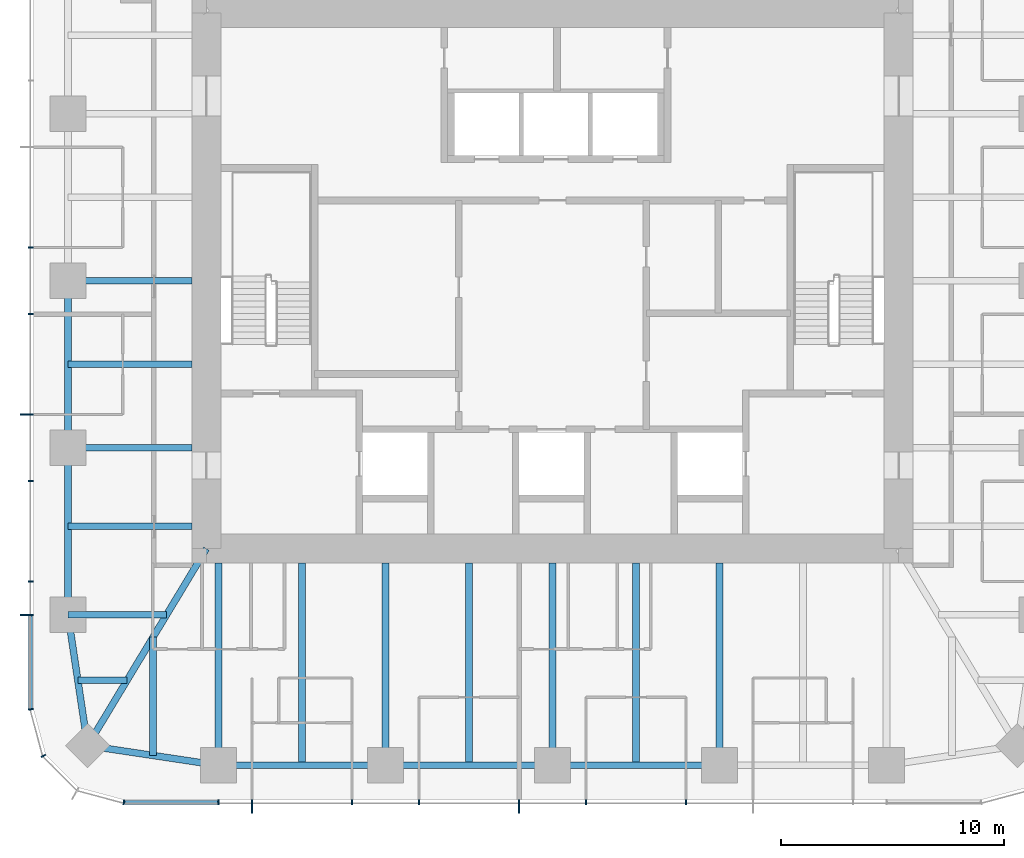
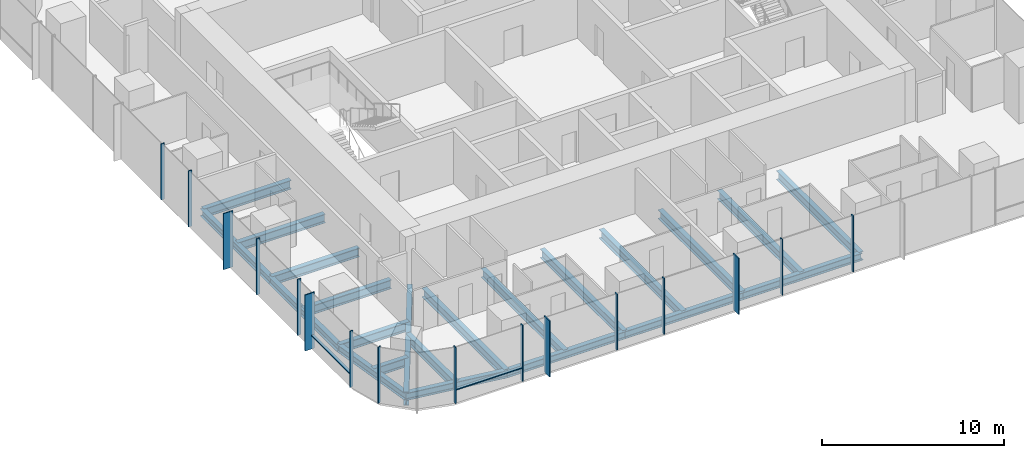
# One storey, part 2 of 12: 22 beams, 18 members, 3 elements without a shape of their own.
"""IFC4 building model written with IfcOpenShell, lengths in metres."""

from ifc_helpers import new_model, si_unit, direction, frame, origin, origin_2d, place, context, subcontext, project, spatial, rectangle, i_section, extrude, material, material_profile, profile_set, type_object, element, aggregate, save


model = new_model("IFC4")

# Units and contexts
model_context = context("Model", 3, precision=1e-05, world=origin(), true_north=direction((0.0, 1.0)))
body_context = subcontext(model_context, "Body", "Model", "MODEL_VIEW")
ifc_project = project(units=[si_unit("LENGTHUNIT", "METRE"), si_unit("AREAUNIT", "SQUARE_METRE"), si_unit("VOLUMEUNIT", "CUBIC_METRE"), si_unit("PLANEANGLEUNIT", "RADIAN"), si_unit("MASSUNIT", "GRAM", prefix="KILO")], contexts=[model_context])

# Site, building, storey
site_placement = place(None, origin())
site = spatial("IfcSite", under=ifc_project, at=site_placement, CompositionType="ELEMENT")
building_placement = place(site_placement, origin())
building = spatial("IfcBuilding", under=site, at=building_placement, Name="Khuree Lantern Residences", CompositionType="ELEMENT")
storey_placement = place(building_placement, frame((0.0, 0.0, 327.0)))
storey = spatial("IfcBuildingStorey", under=building, at=storey_placement, Name="L82", CompositionType="ELEMENT", Elevation=327.0)

# Beams
ifc_material_1 = material(Name="Steel S355", Category="steel")
ifc_material_profile_1 = material_profile(ifc_material_1, i_section(OverallWidth=0.300048828125, OverallDepth=0.590087890625, WebThickness=0.012939453125, FlangeThickness=0.02490234375, FilletRadius=0.027099609375, at=origin_2d()), Name="HE 600 A")
ifc_profile_set_1 = profile_set([ifc_material_profile_1], Name="Steel S355")
beam_type_1 = type_object("IfcBeamType", Name="B-43 SECONDARY BEAM HE 600 A", PredefinedType="BEAM", material=ifc_profile_set_1)
for number, where, z_axis, x_axis, name in (
    (1, (3.739990234375, -21.699951171875, -0.544921875), (0.0, 1.0, 0.0), (-1.0, 0.0, 0.0), "Secondary beam S3"),
    (2, (-3.739990234375, -21.699951171875, -0.544921875), (0.0, 1.0, 0.0), (-1.0, 0.0, 0.0), "Secondary beam S4"),
    (3, (-11.219970703125, -21.699951171875, -0.544921875), (0.0, 1.0, 0.0), (-1.0, 0.0, 0.0), "Secondary beam S5"),
):
    element("IfcBeam", number, at=place(storey_placement, frame(where, z_axis=z_axis, x_axis=x_axis)), inside=storey, type_object=beam_type_1, Name=name, PredefinedType="BEAM", context=body_context, shape_type="SweptSolid", body=[
        extrude(i_section(OverallWidth=0.300048828125, OverallDepth=0.590087890625, WebThickness=0.012939453125, FlangeThickness=0.02490234375, FilletRadius=0.027099609375, at=origin_2d()), origin(), (0.0, 0.0, 1.0), 9.050048828125),
    ])
beam_1_placement = place(storey_placement, frame((-17.890625, -21.2607421875, -0.544921875), z_axis=(0.0, 1.0, 0.0), x_axis=(-1.0, 0.0, 0.0)))
element("IfcBeam", 4, at=beam_1_placement, inside=storey, type_object=beam_type_1, Name="Secondary beam S6", PredefinedType="BEAM", context=body_context, shape_type="SweptSolid", body=[
    extrude(i_section(OverallWidth=0.300048828125, OverallDepth=0.590087890625, WebThickness=0.012939453125, FlangeThickness=0.02490234375, FilletRadius=0.027099609375, at=origin_2d()), origin(), (0.0, 0.0, 1.0), 5.297607421875),
])
beam_2_placement = place(storey_placement, frame((-21.2607421875, -17.890625, -0.544921875), z_axis=(1.0, 0.0, 0.0), x_axis=(0.0, 1.0, 0.0)))
element("IfcBeam", 5, at=beam_2_placement, inside=storey, type_object=beam_type_1, Name="Secondary beam W1", PredefinedType="BEAM", context=body_context, shape_type="SweptSolid", body=[
    extrude(i_section(OverallWidth=0.300048828125, OverallDepth=0.590087890625, WebThickness=0.012939453125, FlangeThickness=0.02490234375, FilletRadius=0.027099609375, at=origin_2d()), origin(), (0.0, 0.0, 1.0), 2.207275390625),
])
for number, where, z_axis, x_axis, name in (
    (6, (-21.699951171875, -11.0, -0.544921875), (1.0, 0.0, 0.0), (0.0, 1.0, 0.0), "Secondary beam W2"),
    (7, (-21.699951171875, -3.739990234375, -0.544921875), (1.0, 0.0, 0.0), (0.0, 1.0, 0.0), "Secondary beam W3"),
):
    element("IfcBeam", number, at=place(storey_placement, frame(where, z_axis=z_axis, x_axis=x_axis)), inside=storey, type_object=beam_type_1, Name=name, PredefinedType="BEAM", context=body_context, shape_type="SweptSolid", body=[
        extrude(i_section(OverallWidth=0.300048828125, OverallDepth=0.590087890625, WebThickness=0.012939453125, FlangeThickness=0.02490234375, FilletRadius=0.027099609375, at=origin_2d()), origin(), (0.0, 0.0, 1.0), 5.550048828125),
    ])
ifc_material_profile_2 = material_profile(ifc_material_1, i_section(OverallWidth=0.300048828125, OverallDepth=0.489990234375, WebThickness=0.011962890625, FlangeThickness=0.02294921875, FilletRadius=0.027099609375, at=origin_2d()), Name="HE 500 A")
ifc_profile_set_2 = profile_set([ifc_material_profile_2], Name="Steel S355")
beam_type_2 = type_object("IfcBeamType", Name="E-43 SPANDREL BEAM HE 500 A", PredefinedType="SPANDREL", material=ifc_profile_set_2)
for number, where, z_axis, x_axis, name in (
    (8, (7.47998046875, -21.699951171875, -0.4951171875), (-1.0, 0.0, 0.0), (0.0, -1.0, 0.0), "Spandrel beam S3"),
    (9, (0.0, -21.699951171875, -0.4951171875), (-1.0, 0.0, 0.0), (0.0, -1.0, 0.0), "Spandrel beam S4"),
    (10, (-7.47998046875, -21.699951171875, -0.4951171875), (-1.0, 0.0, 0.0), (0.0, -1.0, 0.0), "Spandrel beam S5"),
):
    element("IfcBeam", number, at=place(storey_placement, frame(where, z_axis=z_axis, x_axis=x_axis)), inside=storey, type_object=beam_type_2, Name=name, PredefinedType="SPANDREL", context=body_context, shape_type="SweptSolid", body=[
        extrude(i_section(OverallWidth=0.300048828125, OverallDepth=0.489990234375, WebThickness=0.011962890625, FlangeThickness=0.02294921875, FilletRadius=0.027099609375, at=origin_2d()), origin(), (0.0, 0.0, 1.0), 7.47998046875),
    ])
for number, where, z_axis, x_axis, name in (
    (11, (-14.9599609375, -21.699951171875, -0.4951171875), (-0.988949643299, 0.148251822985, 0.0), (-0.148251822985, -0.988949643299, 0.0), "Spandrel beam S6"),
    (12, (-20.8212890625, -20.8212890625, -0.4951171875), (-0.148251822985, 0.988949643299, 0.0), (-0.988949643299, -0.148251822985, 0.0), "Spandrel beam W1"),
):
    element("IfcBeam", number, at=place(storey_placement, frame(where, z_axis=z_axis, x_axis=x_axis)), inside=storey, type_object=beam_type_2, Name=name, PredefinedType="SPANDREL", context=body_context, shape_type="SweptSolid", body=[
        extrude(i_section(OverallWidth=0.300048828125, OverallDepth=0.489990234375, WebThickness=0.011962890625, FlangeThickness=0.02294921875, FilletRadius=0.027099609375, at=origin_2d()), origin(), (0.0, 0.0, 1.0), 5.9267578125),
    ])
for number, where, z_axis, x_axis, name in (
    (13, (-21.699951171875, -14.9599609375, -0.4951171875), (0.0, 1.0, 0.0), (-1.0, 0.0, 0.0), "Spandrel beam W2"),
    (14, (-21.699951171875, -7.47998046875, -0.4951171875), (0.0, 1.0, 0.0), (-1.0, 0.0, 0.0), "Spandrel beam W3"),
):
    element("IfcBeam", number, at=place(storey_placement, frame(where, z_axis=z_axis, x_axis=x_axis)), inside=storey, type_object=beam_type_2, Name=name, PredefinedType="SPANDREL", context=body_context, shape_type="SweptSolid", body=[
        extrude(i_section(OverallWidth=0.300048828125, OverallDepth=0.489990234375, WebThickness=0.011962890625, FlangeThickness=0.02294921875, FilletRadius=0.027099609375, at=origin_2d()), origin(), (0.0, 0.0, 1.0), 7.47998046875),
    ])

# Curtain wall, members
ifc_material_2 = material(Name="Bronze anodised aluminium", Category="aluminium")
curtain_wall_type_1 = type_object("IfcCurtainWallType", Name="CW-T1 TOWER FACE CURTAIN WALL", PredefinedType="USERDEFINED", material=ifc_material_2)
curtain_wall_1_placement = place(storey_placement, origin())
curtain_wall_1 = element("IfcCurtainWall", 15, at=curtain_wall_1_placement, inside=storey, type_object=curtain_wall_type_1, Name="L82 WEST FACE CURTAIN WALL", ObjectType="Stick-built curtain wall", PredefinedType="USERDEFINED")
ifc_material_profile_3 = material_profile(ifc_material_2, rectangle(XDim=0.06494140625, YDim=0.60009765625, at=origin_2d()), Name="F1 65X600")
ifc_profile_set_3 = profile_set([ifc_material_profile_3], Name="Bronze anodised aluminium")
member_type_1 = type_object("IfcMemberType", Name="F1 BRONZE FIN MULLION TOWER 65X600", PredefinedType="MULLION", material=ifc_profile_set_3)
member_1_placement = place(storey_placement, frame((-23.550048828125, -5.98388671875, 0.0), z_axis=(0.0, 0.0, 1.0), x_axis=(0.0, -1.0, 0.0)))
member_1 = element("IfcMember", 16, at=member_1_placement, type_object=member_type_1, Name="L82 WEST FACE FIN MULLION 39", PredefinedType="MULLION", context=body_context, shape_type="SweptSolid", body=[
    extrude(rectangle(XDim=0.06494140625, YDim=0.60009765625, at=origin_2d()), origin(), (0.0, 0.0, 1.0), 3.75),
])
member_2_placement = place(storey_placement, frame((-23.550048828125, -14.9599609375, 0.0), z_axis=(0.0, 0.0, 1.0), x_axis=(0.0, -1.0, 0.0)))
member_2 = element("IfcMember", 17, at=member_2_placement, type_object=member_type_1, Name="L82 WEST FACE FIN MULLION 42", PredefinedType="MULLION", context=body_context, shape_type="SweptSolid", body=[
    extrude(rectangle(XDim=0.06494140625, YDim=0.60009765625, at=origin_2d()), origin(), (0.0, 0.0, 1.0), 3.75),
])

curtain_wall_2_placement = place(storey_placement, origin())
curtain_wall_2 = element("IfcCurtainWall", 18, at=curtain_wall_2_placement, inside=storey, type_object=curtain_wall_type_1, Name="L82 SOUTH FACE CURTAIN WALL", ObjectType="Stick-built curtain wall", PredefinedType="USERDEFINED")
member_3_placement = place(storey_placement, frame((-13.464111328125, -23.550048828125, 0.0), z_axis=(0.0, 0.0, 1.0), x_axis=(1.0, 0.0, 0.0)))
member_3 = element("IfcMember", 19, at=member_3_placement, type_object=member_type_1, Name="L82 SOUTH FACE FIN MULLION 48", PredefinedType="MULLION", context=body_context, shape_type="SweptSolid", body=[
    extrude(rectangle(XDim=0.06494140625, YDim=0.60009765625, at=origin_2d()), origin(), (0.0, 0.0, 1.0), 3.75),
])
member_4_placement = place(storey_placement, frame((-1.49609375, -23.550048828125, 0.0), z_axis=(0.0, 0.0, 1.0), x_axis=(1.0, 0.0, 0.0)))
member_4 = element("IfcMember", 20, at=member_4_placement, type_object=member_type_1, Name="L82 SOUTH FACE FIN MULLION 51", PredefinedType="MULLION", context=body_context, shape_type="SweptSolid", body=[
    extrude(rectangle(XDim=0.06494140625, YDim=0.60009765625, at=origin_2d()), origin(), (0.0, 0.0, 1.0), 3.75),
])

# Beams
ifc_material_profile_4 = material_profile(ifc_material_1, i_section(OverallWidth=0.300048828125, OverallDepth=0.60009765625, WebThickness=0.015380859375, FlangeThickness=0.030029296875, FilletRadius=0.027099609375, at=origin_2d()), Name="HE 600 B")
ifc_profile_set_4 = profile_set([ifc_material_profile_4], Name="Steel S355")
beam_type_3 = type_object("IfcBeamType", Name="G-43 GIRDER HE 600 B", PredefinedType="BEAM", material=ifc_profile_set_4)
for number, where, z_axis, x_axis, name in (
    (21, (7.47998046875, -21.699951171875, -0.550048828125), (0.0, 1.0, 0.0), (-1.0, 0.0, 0.0), "Girder S2"),
    (22, (0.0, -21.699951171875, -0.550048828125), (0.0, 1.0, 0.0), (-1.0, 0.0, 0.0), "Girder S3"),
    (23, (-7.47998046875, -21.699951171875, -0.550048828125), (0.0, 1.0, 0.0), (-1.0, 0.0, 0.0), "Girder S4"),
    (24, (-14.9599609375, -21.699951171875, -0.550048828125), (0.0, 1.0, 0.0), (-1.0, 0.0, 0.0), "Girder S5"),
):
    element("IfcBeam", number, at=place(storey_placement, frame(where, z_axis=z_axis, x_axis=x_axis)), inside=storey, type_object=beam_type_3, Name=name, PredefinedType="BEAM", context=body_context, shape_type="SweptSolid", body=[
        extrude(i_section(OverallWidth=0.300048828125, OverallDepth=0.60009765625, WebThickness=0.015380859375, FlangeThickness=0.030029296875, FilletRadius=0.027099609375, at=origin_2d()), origin(), (0.0, 0.0, 1.0), 9.050048828125),
    ])
beam_3_placement = place(storey_placement, frame((-21.699951171875, -14.9599609375, -0.550048828125), z_axis=(1.0, 0.0, 0.0), x_axis=(0.0, 1.0, 0.0)))
element("IfcBeam", 25, at=beam_3_placement, inside=storey, type_object=beam_type_3, Name="Girder W1", PredefinedType="BEAM", context=body_context, shape_type="SweptSolid", body=[
    extrude(i_section(OverallWidth=0.300048828125, OverallDepth=0.60009765625, WebThickness=0.015380859375, FlangeThickness=0.030029296875, FilletRadius=0.027099609375, at=origin_2d()), origin(), (0.0, 0.0, 1.0), 4.414306640625),
])
for number, where, z_axis, x_axis, name in (
    (26, (-21.699951171875, -7.47998046875, -0.550048828125), (1.0, 0.0, 0.0), (0.0, 1.0, 0.0), "Girder W2"),
    (27, (-21.699951171875, 0.0, -0.550048828125), (1.0, 0.0, 0.0), (0.0, 1.0, 0.0), "Girder W3"),
):
    element("IfcBeam", number, at=place(storey_placement, frame(where, z_axis=z_axis, x_axis=x_axis)), inside=storey, type_object=beam_type_3, Name=name, PredefinedType="BEAM", context=body_context, shape_type="SweptSolid", body=[
        extrude(i_section(OverallWidth=0.300048828125, OverallDepth=0.60009765625, WebThickness=0.015380859375, FlangeThickness=0.030029296875, FilletRadius=0.027099609375, at=origin_2d()), origin(), (0.0, 0.0, 1.0), 5.550048828125),
    ])
ifc_material_profile_5 = material_profile(ifc_material_1, i_section(OverallWidth=0.300048828125, OverallDepth=0.89990234375, WebThickness=0.0185546875, FlangeThickness=0.034912109375, FilletRadius=0.030029296875, at=origin_2d()), Name="HE 900 B")
ifc_profile_set_5 = profile_set([ifc_material_profile_5], Name="Steel S355")
beam_type_4 = type_object("IfcBeamType", Name="GD-43 CORNER GIRDER HE 900 B", PredefinedType="BEAM", material=ifc_profile_set_5)
beam_4_placement = place(storey_placement, frame((-20.8212890625, -20.8212890625, -0.699951171875), z_axis=(0.516529577604, 0.856269347495, 0.0), x_axis=(-0.856269347495, 0.516529577604, 0.0)))
element("IfcBeam", 28, at=beam_4_placement, inside=storey, type_object=beam_type_4, Name="Corner girder SW", PredefinedType="BEAM", context=body_context, shape_type="SweptSolid", body=[
    extrude(i_section(OverallWidth=0.300048828125, OverallDepth=0.89990234375, WebThickness=0.0185546875, FlangeThickness=0.034912109375, FilletRadius=0.030029296875, at=origin_2d()), origin(), (0.0, 0.0, 1.0), 10.302001953125),
])

# Member
ifc_material_profile_6 = material_profile(ifc_material_2, rectangle(XDim=0.06494140625, YDim=0.219970703125, at=origin_2d()), Name="M1 65X220")
ifc_profile_set_6 = profile_set([ifc_material_profile_6], Name="Bronze anodised aluminium")
member_type_2 = type_object("IfcMemberType", Name="M1 BRONZE MULLION TOWER 65X220", PredefinedType="MULLION", material=ifc_profile_set_6)
member_5_placement = place(storey_placement, frame((-23.360107421875, 1.49609375, 0.0), z_axis=(0.0, 0.0, 1.0), x_axis=(0.0, -1.0, 0.0)))
member_5 = element("IfcMember", 29, at=member_5_placement, type_object=member_type_2, Name="L82 WEST FACE MULLION 37", PredefinedType="MULLION", context=body_context, shape_type="SweptSolid", body=[
    extrude(rectangle(XDim=0.06494140625, YDim=0.219970703125, at=origin_2d()), origin(), (0.0, 0.0, 1.0), 3.75),
])

member_6_placement = place(storey_placement, frame((-23.360107421875, -1.49609375, 0.0), z_axis=(0.0, 0.0, 1.0), x_axis=(0.0, -1.0, 0.0)))
member_6 = element("IfcMember", 30, at=member_6_placement, type_object=member_type_2, Name="L82 WEST FACE MULLION 38", PredefinedType="MULLION", context=body_context, shape_type="SweptSolid", body=[
    extrude(rectangle(XDim=0.06494140625, YDim=0.219970703125, at=origin_2d()), origin(), (0.0, 0.0, 1.0), 3.75),
])

member_7_placement = place(storey_placement, frame((-23.360107421875, -8.97607421875, 0.0), z_axis=(0.0, 0.0, 1.0), x_axis=(0.0, -1.0, 0.0)))
member_7 = element("IfcMember", 31, at=member_7_placement, type_object=member_type_2, Name="L82 WEST FACE MULLION 40", PredefinedType="MULLION", context=body_context, shape_type="SweptSolid", body=[
    extrude(rectangle(XDim=0.06494140625, YDim=0.219970703125, at=origin_2d()), origin(), (0.0, 0.0, 1.0), 3.75),
])

member_8_placement = place(storey_placement, frame((-23.360107421875, -13.464111328125, 0.0), z_axis=(0.0, 0.0, 1.0), x_axis=(0.0, -1.0, 0.0)))
member_8 = element("IfcMember", 32, at=member_8_placement, type_object=member_type_2, Name="L82 WEST FACE MULLION 41", PredefinedType="MULLION", context=body_context, shape_type="SweptSolid", body=[
    extrude(rectangle(XDim=0.06494140625, YDim=0.219970703125, at=origin_2d()), origin(), (0.0, 0.0, 1.0), 3.75),
])

# Curtain wall, members
curtain_wall_type_2 = type_object("IfcCurtainWallType", Name="CW-T2 TOWER CORNER CURTAIN WALL", PredefinedType="USERDEFINED", material=ifc_material_2)
curtain_wall_3_placement = place(storey_placement, origin())
curtain_wall_3 = element("IfcCurtainWall", 33, at=curtain_wall_3_placement, inside=storey, type_object=curtain_wall_type_2, Name="L82 SOUTH-WEST CORNER CURTAIN WALL", ObjectType="Faceted corner curtain wall", PredefinedType="USERDEFINED")
member_9_placement = place(storey_placement, frame((-23.36181640625, -19.195068359375, 0.0), z_axis=(0.0, 0.0, 1.0), x_axis=(0.130526125236, -0.991444870192, 0.0)))
member_9 = element("IfcMember", 34, at=member_9_placement, type_object=member_type_2, Name="L82 SOUTH-WEST CORNER MULLION 43", PredefinedType="MULLION", context=body_context, shape_type="SweptSolid", body=[
    extrude(rectangle(XDim=0.06494140625, YDim=0.219970703125, at=origin_2d()), origin(), (0.0, 0.0, 1.0), 3.75),
])
member_10_placement = place(storey_placement, frame((-22.802734375, -21.280029296875, 0.0), z_axis=(0.0, 0.0, 1.0), x_axis=(0.49999994149, -0.866025437565, 0.0)))
member_10 = element("IfcMember", 35, at=member_10_placement, type_object=member_type_2, Name="L82 SOUTH-WEST CORNER MULLION 44", PredefinedType="MULLION", context=body_context, shape_type="SweptSolid", body=[
    extrude(rectangle(XDim=0.06494140625, YDim=0.219970703125, at=origin_2d()), origin(), (0.0, 0.0, 1.0), 3.75),
])
aggregate(curtain_wall_3, [member_9, member_10])

# Member
member_11_placement = place(storey_placement, frame((-19.195068359375, -23.36181640625, 0.0), z_axis=(0.0, 0.0, 1.0), x_axis=(0.991444870192, -0.130526125236, 0.0)))
member_11 = element("IfcMember", 36, at=member_11_placement, type_object=member_type_2, Name="L82 SOUTH FACE MULLION 46", PredefinedType="MULLION", context=body_context, shape_type="SweptSolid", body=[
    extrude(rectangle(XDim=0.06494140625, YDim=0.219970703125, at=origin_2d()), origin(), (0.0, 0.0, 1.0), 3.75),
])

member_12_placement = place(storey_placement, frame((-14.9599609375, -23.360107421875, 0.0), z_axis=(0.0, 0.0, 1.0), x_axis=(1.0, 0.0, 0.0)))
member_12 = element("IfcMember", 37, at=member_12_placement, type_object=member_type_2, Name="L82 SOUTH FACE MULLION 47", PredefinedType="MULLION", context=body_context, shape_type="SweptSolid", body=[
    extrude(rectangle(XDim=0.06494140625, YDim=0.219970703125, at=origin_2d()), origin(), (0.0, 0.0, 1.0), 3.75),
])

member_13_placement = place(storey_placement, frame((-8.97607421875, -23.360107421875, 0.0), z_axis=(0.0, 0.0, 1.0), x_axis=(1.0, 0.0, 0.0)))
member_13 = element("IfcMember", 38, at=member_13_placement, type_object=member_type_2, Name="L82 SOUTH FACE MULLION 49", PredefinedType="MULLION", context=body_context, shape_type="SweptSolid", body=[
    extrude(rectangle(XDim=0.06494140625, YDim=0.219970703125, at=origin_2d()), origin(), (0.0, 0.0, 1.0), 3.75),
])

member_14_placement = place(storey_placement, frame((-5.98388671875, -23.360107421875, 0.0), z_axis=(0.0, 0.0, 1.0), x_axis=(1.0, 0.0, 0.0)))
member_14 = element("IfcMember", 39, at=member_14_placement, type_object=member_type_2, Name="L82 SOUTH FACE MULLION 50", PredefinedType="MULLION", context=body_context, shape_type="SweptSolid", body=[
    extrude(rectangle(XDim=0.06494140625, YDim=0.219970703125, at=origin_2d()), origin(), (0.0, 0.0, 1.0), 3.75),
])

member_15_placement = place(storey_placement, frame((1.49609375, -23.360107421875, 0.0), z_axis=(0.0, 0.0, 1.0), x_axis=(1.0, 0.0, 0.0)))
member_15 = element("IfcMember", 40, at=member_15_placement, type_object=member_type_2, Name="L82 SOUTH FACE MULLION 52", PredefinedType="MULLION", context=body_context, shape_type="SweptSolid", body=[
    extrude(rectangle(XDim=0.06494140625, YDim=0.219970703125, at=origin_2d()), origin(), (0.0, 0.0, 1.0), 3.75),
])

member_16_placement = place(storey_placement, frame((5.98388671875, -23.360107421875, 0.0), z_axis=(0.0, 0.0, 1.0), x_axis=(1.0, 0.0, 0.0)))
member_16 = element("IfcMember", 41, at=member_16_placement, type_object=member_type_2, Name="L82 SOUTH FACE MULLION 53", PredefinedType="MULLION", context=body_context, shape_type="SweptSolid", body=[
    extrude(rectangle(XDim=0.06494140625, YDim=0.219970703125, at=origin_2d()), origin(), (0.0, 0.0, 1.0), 3.75),
])

ifc_material_profile_7 = material_profile(ifc_material_2, rectangle(XDim=0.179931640625, YDim=0.06494140625, at=origin_2d()), Name="T1 180X65")
ifc_profile_set_7 = profile_set([ifc_material_profile_7], Name="Bronze anodised aluminium")
member_type_3 = type_object("IfcMemberType", Name="TRANSOM T1 TOWER 180X65", PredefinedType="USERDEFINED", material=ifc_profile_set_7)
member_17_placement = place(storey_placement, frame((-23.3701171875, -14.992431640625, 0.89990234375), z_axis=(0.0, -1.0, 0.0), x_axis=(1.0, 0.0, 0.0)))
member_17 = element("IfcMember", 42, at=member_17_placement, type_object=member_type_3, Name="L82 WEST FACE TRANSOM 42.1", ObjectType="Transom", PredefinedType="USERDEFINED", context=body_context, shape_type="SweptSolid", body=[
    extrude(rectangle(XDim=0.179931640625, YDim=0.06494140625, at=origin_2d()), origin(), (0.0, 0.0, 1.0), 4.158935546875),
])

aggregate(curtain_wall_1, [member_5, member_6, member_1, member_7, member_8, member_2, member_17])

member_18_placement = place(storey_placement, frame((-19.1513671875, -23.3701171875, 0.89990234375), z_axis=(1.0, 0.0, 0.0), x_axis=(0.0, 1.0, 0.0)))
member_18 = element("IfcMember", 43, at=member_18_placement, type_object=member_type_3, Name="L82 SOUTH FACE TRANSOM 46.1", ObjectType="Transom", PredefinedType="USERDEFINED", context=body_context, shape_type="SweptSolid", body=[
    extrude(rectangle(XDim=0.179931640625, YDim=0.06494140625, at=origin_2d()), origin(), (0.0, 0.0, 1.0), 4.158935546875),
])

aggregate(curtain_wall_2, [member_11, member_12, member_3, member_13, member_14, member_4, member_15, member_16, member_18])

save(model, "model.ifc")
